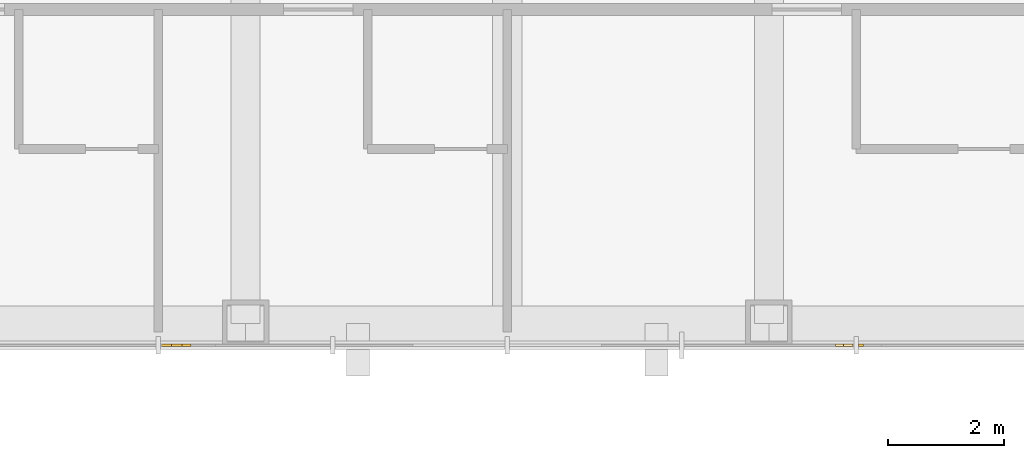
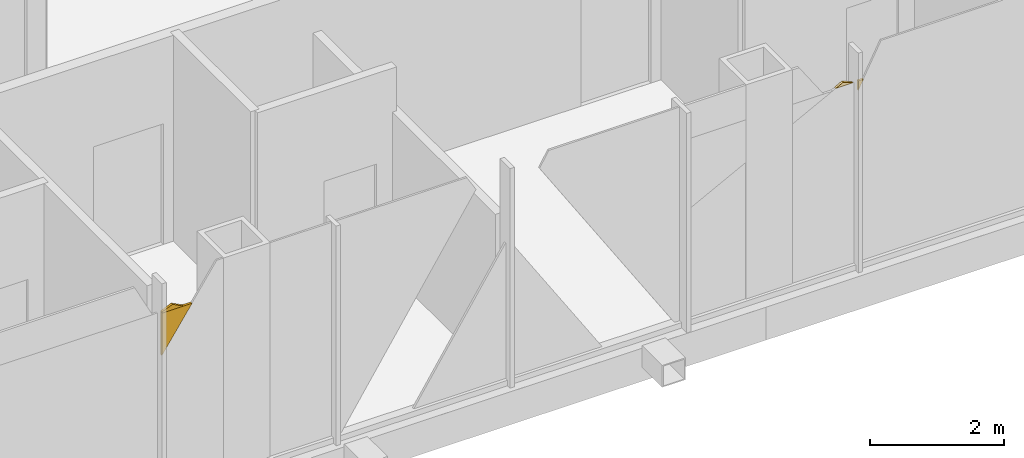
# One storey, part 15 of 25: 4 coverings.
"""IFC4 building model written with IfcOpenShell, lengths in metres."""

from ifc_helpers import new_model, si_unit, direction, frame, origin, place, context, subcontext, project, spatial, polyline, outline, extrude, material, layer, layer_set, type_object, element, save


model = new_model("IFC4")

# Units and contexts
model_context = context("Model", 3, precision=1e-05, world=origin(), true_north=direction((0.0, 1.0)))
body_context = subcontext(model_context, "Body", "Model", "MODEL_VIEW")
ifc_project = project(units=[si_unit("LENGTHUNIT", "METRE"), si_unit("AREAUNIT", "SQUARE_METRE"), si_unit("VOLUMEUNIT", "CUBIC_METRE"), si_unit("PLANEANGLEUNIT", "RADIAN"), si_unit("MASSUNIT", "GRAM", prefix="KILO")], contexts=[model_context])

# Site, building, storey
site_placement = place(None, origin())
site = spatial("IfcSite", under=ifc_project, at=site_placement, CompositionType="ELEMENT")
building_placement = place(site_placement, origin())
building = spatial("IfcBuilding", under=site, at=building_placement, Name="Malebo Sky Hospital", CompositionType="ELEMENT")
storey_placement = place(building_placement, frame((0.0, 0.0, 241.0)))
storey = spatial("IfcBuildingStorey", under=building, at=storey_placement, Name="L58", CompositionType="ELEMENT", Elevation=241.0)

# Coverings
ifc_material = material(Name="Anodised aluminium, natural silver insulated infill panel", Category="aluminium")
ifc_layer = layer(ifc_material, 0.0400390625)
ifc_layer_set = layer_set([ifc_layer], Name="BRACE INFILL PANEL 40")
covering_type = type_object("IfcCoveringType", Name="BRACE INFILL PANEL 40", PredefinedType="CLADDING", material=ifc_layer_set)
covering_1_placement = place(storey_placement, frame((66.08154296875, 39.425048828125, 3.217529296875), z_axis=(0.0, 0.0, 1.0), x_axis=(-1.0, 0.0, 0.0)))
element("IfcCovering", 1, at=covering_1_placement, inside=storey, type_object=covering_type, Name="Brace infill panel 5.1", PredefinedType="CLADDING", context=body_context, shape_type="SweptSolid", body=[
    extrude(outline(polyline([(0.044189453125, 0.0), (0.044189453125, 0.17236328125), (-0.0439453125, 0.17236328125), (0.044189453125, 0.0)])), frame((0.0, 0.02001953125, 0.0), z_axis=(0.0, -1.0, 0.0), x_axis=(1.0, 0.0, 0.0)), (0.0, 0.0, 1.0), 0.0400390625),
])
covering_2_placement = place(storey_placement, frame((65.795654296875, 39.425048828125, 3.389892578125), z_axis=(0.0, 0.0, 1.0), x_axis=(-1.0, 0.0, 0.0)))
element("IfcCovering", 2, at=covering_2_placement, inside=storey, type_object=covering_type, Name="Brace infill panel 6.3", PredefinedType="CLADDING", context=body_context, shape_type="SweptSolid", body=[
    extrude(outline(polyline([(-0.149658203125, 0.0), (0.149658203125, 0.0), (0.01708984375, 0.06884765625), (-0.149658203125, 0.0)])), frame((0.0, 0.02001953125, 0.0), z_axis=(0.0, -1.0, 0.0), x_axis=(1.0, 0.0, 0.0)), (0.0, 0.0, 1.0), 0.0400390625),
])
covering_3_placement = place(storey_placement, frame((54.298095703125, 39.425048828125, 2.58984375), z_axis=(0.0, 0.0, 1.0), x_axis=(-1.0, 0.0, 0.0)))
element("IfcCovering", 3, at=covering_3_placement, inside=storey, type_object=covering_type, Name="Brace infill panel 9.1", PredefinedType="CLADDING", context=body_context, shape_type="SweptSolid", body=[
    extrude(outline(polyline([(0.260498046875, 0.0), (0.260498046875, 0.77099609375), (-0.260498046875, 0.77099609375), (0.260498046875, 0.0)])), frame((0.0, 0.02001953125, 0.0), z_axis=(0.0, -1.0, 0.0), x_axis=(1.0, 0.0, 0.0)), (0.0, 0.0, 1.0), 0.0400390625),
])
covering_4_placement = place(storey_placement, frame((54.2236328125, 39.425048828125, 3.36083984375), z_axis=(0.0, 0.0, 1.0), x_axis=(-1.0, 0.0, 0.0)))
element("IfcCovering", 4, at=covering_4_placement, inside=storey, type_object=covering_type, Name="Brace infill panel 9.2", PredefinedType="CLADDING", context=body_context, shape_type="SweptSolid", body=[
    extrude(outline(polyline([(-0.18603515625, 0.0), (0.18603515625, 0.0), (0.18603515625, 0.02197265625), (0.001953125, 0.097900390625), (-0.18603515625, 0.0)])), frame((0.0, 0.02001953125, 0.0), z_axis=(0.0, -1.0, 0.0), x_axis=(1.0, 0.0, 0.0)), (0.0, 0.0, 1.0), 0.0400390625),
])

save(model, "model.ifc")
